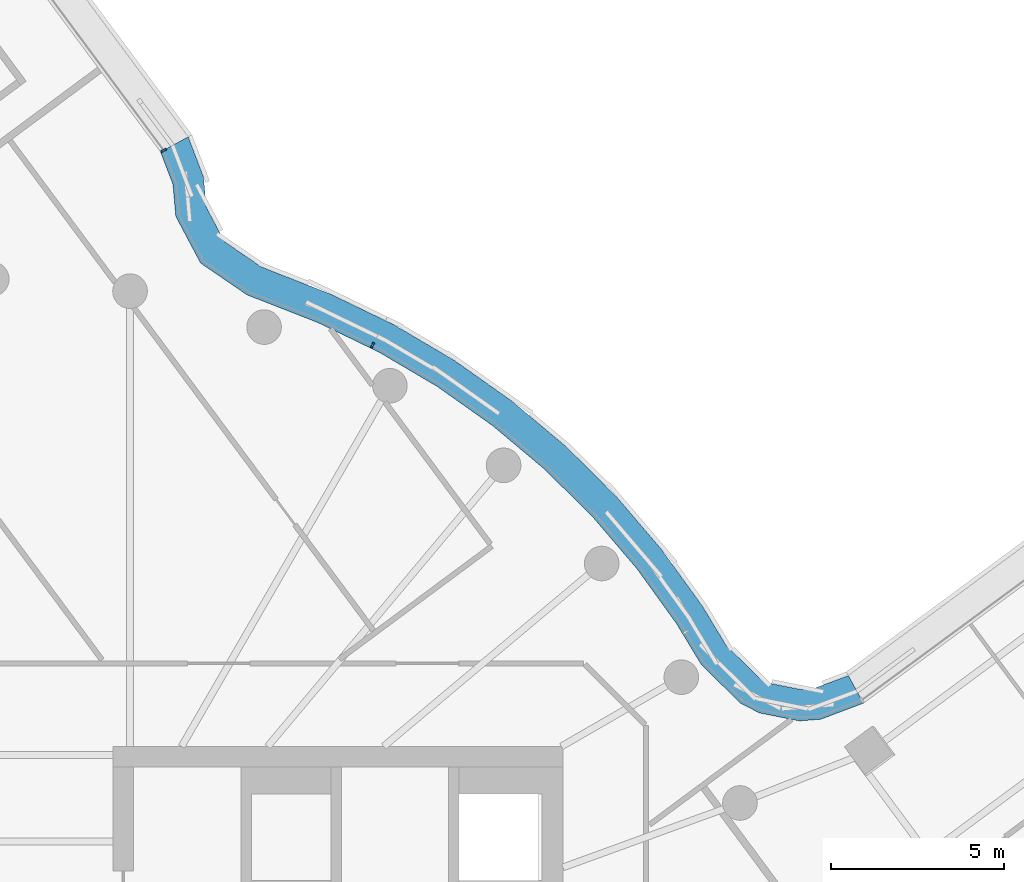
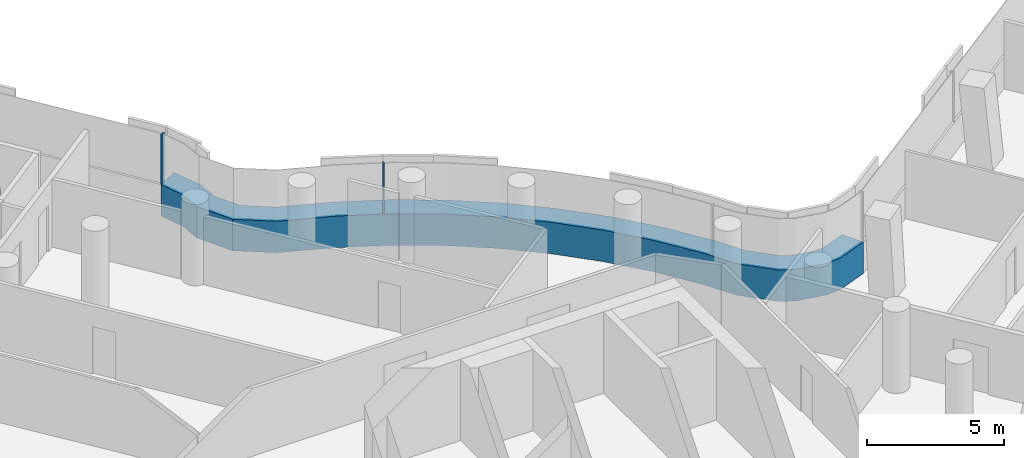
# One storey, part 15 of 32: 3 members, 2 elements without a shape of their own.
"""IFC4 building model written with IfcOpenShell, lengths in metres."""

from ifc_helpers import new_model, si_unit, direction, frame, origin, origin_2d, place, context, subcontext, project, spatial, polyline, rectangle, outline, extrude, material, layer, layer_set, material_profile, profile_set, type_object, element, aggregate, save


model = new_model("IFC4")

# Units and contexts
model_context = context("Model", 3, precision=1e-05, world=origin(), true_north=direction((0.0, 1.0)))
body_context = subcontext(model_context, "Body", "Model", "MODEL_VIEW")
ifc_project = project(units=[si_unit("LENGTHUNIT", "METRE"), si_unit("AREAUNIT", "SQUARE_METRE"), si_unit("VOLUMEUNIT", "CUBIC_METRE"), si_unit("PLANEANGLEUNIT", "RADIAN"), si_unit("MASSUNIT", "GRAM", prefix="KILO")], contexts=[model_context])

# Site, building, storey
site_placement = place(None, origin())
site = spatial("IfcSite", under=ifc_project, at=site_placement, CompositionType="ELEMENT")
building_placement = place(site_placement, origin())
building = spatial("IfcBuilding", under=site, at=building_placement, Name="Tamarind Cross Interchange Tower", CompositionType="ELEMENT")
storey_placement = place(building_placement, frame((0.0, 0.0, 166.75)))
storey = spatial("IfcBuildingStorey", under=building, at=storey_placement, Name="L41", CompositionType="ELEMENT", Elevation=166.75)

# Curtain wall, members
ifc_material_1 = material(Name="Aluminium 6063-T6", Category="aluminium")
ifc_layer = layer(ifc_material_1, 0.159912109375)
ifc_layer_set = layer_set([ifc_layer], Name="Aluminium 6063-T6")
curtain_wall_type = type_object("IfcCurtainWallType", Name="Office curtain wall, 9.0 m bays", PredefinedType="NOTDEFINED", material=ifc_layer_set)
curtain_wall_1_placement = place(storey_placement, origin())
curtain_wall_1 = element("IfcCurtainWall", 1, at=curtain_wall_1_placement, inside=storey, type_object=curtain_wall_type, Name="CWS-L41-02", PredefinedType="NOTDEFINED")
ifc_material_2 = material(Name="Aluminium and insulated spandrel panel", Category="aluminium")
member_type_1 = type_object("IfcMemberType", Name="Floor-edge blade transom", PredefinedType="USERDEFINED", material=ifc_material_2)
member_1_placement = place(storey_placement, origin())
member_1 = element("IfcMember", 2, at=member_1_placement, type_object=member_type_1, Name="CWT-L41-02", ObjectType="TRANSOM", PredefinedType="USERDEFINED", context=body_context, shape_type="SweptSolid", body=[
    extrude(outline(polyline([(25.17919921875, 10.748291015625), (23.94921875, 10.285888671875), (23.328125, 10.235595703125), (22.177490234375, 10.4658203125), (21.619873046875, 10.75341796875), (20.49169921875, 11.8701171875), (19.781494140625, 13.04541015625), (18.636474609375, 14.634521484375), (17.3642578125, 16.12353515625), (15.973388671875, 17.50244140625), (14.4736328125, 18.76171875), (12.874755859375, 19.892822265625), (11.188232421875, 20.88818359375), (9.42431640625, 21.740966796875), (7.370849609375, 22.545654296875), (6.033447265625, 23.460693359375), (5.31689453125, 24.809326171875), (5.232177734375, 25.73974609375), (4.876220703125, 26.67236328125), (5.6728515625, 27.109130859375), (6.1171875, 25.94482421875), (6.19677734375, 25.071533203125), (6.724365234375, 24.078369140625), (7.79443359375, 23.34619140625), (9.784912109375, 22.56640625), (11.613525390625, 21.68212890625), (13.3642578125, 20.64892578125), (15.023681640625, 19.474853515625), (16.580810546875, 18.167724609375), (18.0244140625, 16.736572265625), (19.344970703125, 15.19091796875), (20.532958984375, 13.5419921875), (21.204345703125, 12.431396484375), (22.155029296875, 11.489990234375), (22.477783203125, 11.323486328125), (23.380859375, 11.142822265625), (23.750732421875, 11.1728515625), (24.745361328125, 11.546875), (25.17919921875, 10.748291015625)])), origin(), (0.0, 0.0, 1.0), 1.39990234375),
])
ifc_material_profile = material_profile(ifc_material_1, rectangle(XDim=0.06005859375, YDim=0.159912109375, at=origin_2d()), Name="Mullion CW1")
ifc_profile_set = profile_set([ifc_material_profile], Name="Aluminium 6063-T6")
member_type_2 = type_object("IfcMemberType", Name="Mullion CW1", PredefinedType="MULLION", material=ifc_profile_set)
member_2_placement = place(storey_placement, frame((10.998046875, 21.091064453125, 1.39990234375), z_axis=(0.0, 0.0, 1.0), x_axis=(-0.900272776334, 0.435326231914, 0.0)))
member_2 = element("IfcMember", 3, at=member_2_placement, type_object=member_type_2, Name="CWM-L41-02-02", PredefinedType="MULLION", context=body_context, shape_type="SweptSolid", body=[
    extrude(rectangle(XDim=0.06005859375, YDim=0.159912109375, at=origin_2d()), origin(), (0.0, 0.0, 1.0), 2.210205078125),
])
aggregate(curtain_wall_1, [member_2, member_1])

# Curtain wall, member
curtain_wall_2_placement = place(storey_placement, origin())
curtain_wall_2 = element("IfcCurtainWall", 4, at=curtain_wall_2_placement, inside=storey, type_object=curtain_wall_type, Name="CWS-L41-03", PredefinedType="NOTDEFINED")
member_3_placement = place(storey_placement, frame((4.964599609375, 26.720947265625, 1.39990234375), z_axis=(0.0, 0.0, 1.0), x_axis=(-0.480660418313, 0.876906815042, 0.0)))
member_3 = element("IfcMember", 5, at=member_3_placement, type_object=member_type_2, Name="CWM-L41-03-00", PredefinedType="MULLION", context=body_context, shape_type="SweptSolid", body=[
    extrude(rectangle(XDim=0.06005859375, YDim=0.159912109375, at=origin_2d()), origin(), (0.0, 0.0, 1.0), 2.210205078125),
])
aggregate(curtain_wall_2, [member_3])

save(model, "model.ifc")
